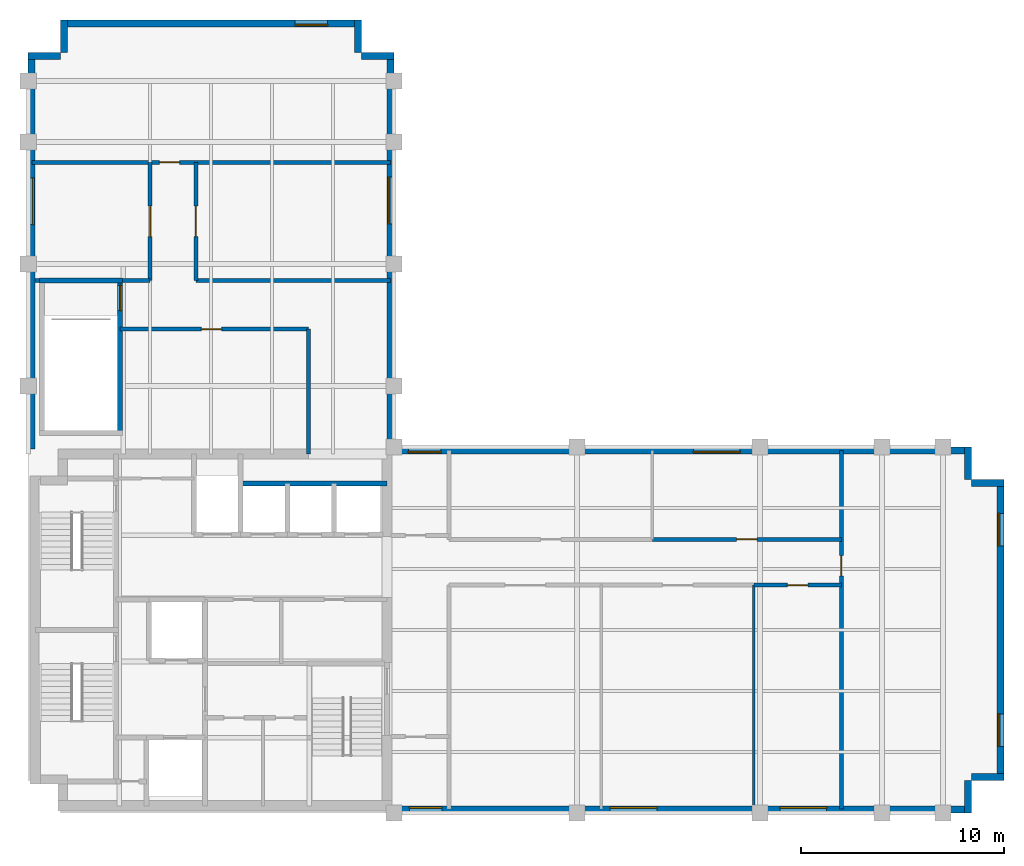
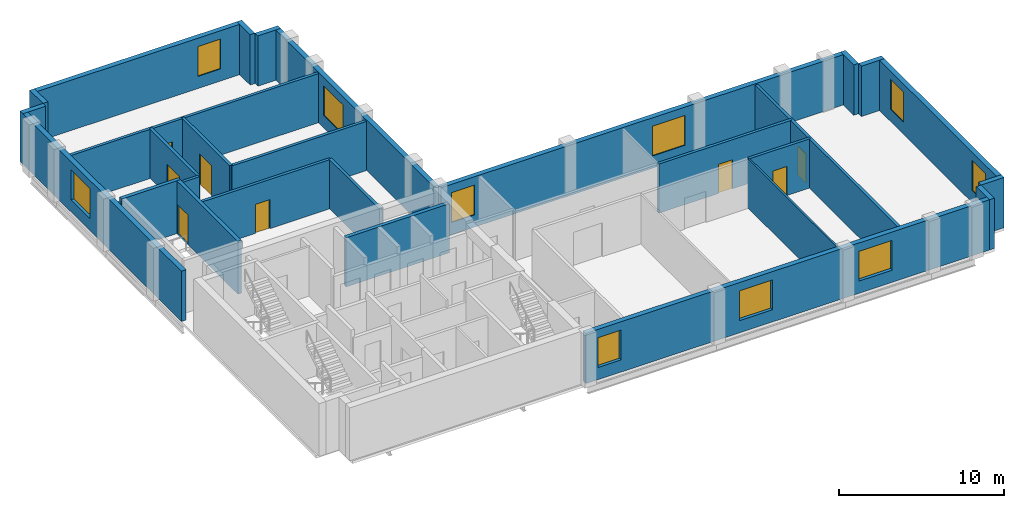
# One storey, part 4 of 6: 29 walls, 10 windows, 8 doors, 18 openings.
"""IFC4 building model written with IfcOpenShell, lengths in metres."""

from ifc_helpers import new_model, si_unit, direction, frame, frame_2d, origin, place, context, subcontext, project, spatial, rectangle, extrude, material, layer, layer_set, type_object, element, fill, save


model = new_model("IFC4")

# Units and contexts
model_context = context("Model", 3, precision=1e-05, world=origin(), true_north=direction((0.0, 1.0)))
body_context = subcontext(model_context, "Body", "Model", "MODEL_VIEW")
ifc_project = project(units=[si_unit("LENGTHUNIT", "METRE"), si_unit("AREAUNIT", "SQUARE_METRE"), si_unit("VOLUMEUNIT", "CUBIC_METRE"), si_unit("PLANEANGLEUNIT", "RADIAN"), si_unit("MASSUNIT", "GRAM", prefix="KILO")], contexts=[model_context])

# Site, building, storey
site_placement = place(None, origin())
site = spatial("IfcSite", under=ifc_project, at=site_placement, CompositionType="ELEMENT")
building_placement = place(site_placement, origin())
building = spatial("IfcBuilding", under=site, at=building_placement, Name="Mawjdan Bourse Tower", CompositionType="ELEMENT")
storey_placement = place(building_placement, frame((0.0, 0.0, 250.800048828125)))
storey = spatial("IfcBuildingStorey", under=building, at=storey_placement, Name="L61", CompositionType="ELEMENT", Elevation=250.800048828125)

# Wall, openings, windows
ifc_material_1 = material(Name="Brick Masonry Buff", Category="masonry")
ifc_layer_1 = layer(ifc_material_1, 0.340087890625)
ifc_layer_set_1 = layer_set([ifc_layer_1], Name="Brick Masonry Buff")
wall_type_1 = type_object("IfcWallType", Name="WL-BRK-SPN-340", PredefinedType="STANDARD", material=ifc_layer_set_1)
wall_1_placement = place(storey_placement, frame((23.89990234375, 3.169921875, 0.0), z_axis=(0.0, 0.0, 1.0), x_axis=(1.0, 0.0, 0.0)))
wall_1 = element("IfcWall", 1, at=wall_1_placement, inside=storey, type_object=wall_type_1, Name="L61 Exterior Brick Wall 1", PredefinedType="STANDARD", context=body_context, shape_type="SweptSolid", body=[
    extrude(rectangle(XDim=28.5, YDim=0.340087890625, at=frame_2d((14.25, 0.0))), origin(), (0.0, 0.0, 1.0), 3.71484375),
])
opening_1_placement = place(wall_1_placement, frame((10.72509765625, 0.0, 0.89990234375)))
opening_1 = element("IfcOpeningElement", 2, at=opening_1_placement, cuts=wall_1, Name="Opening W-L61-01", PredefinedType="OPENING", context=body_context, shape_type="SweptSolid", body=[
    extrude(rectangle(XDim=2.300048828125, YDim=2.199951171875, at=frame_2d((1.14990234375, 1.10009765625))), frame((0.0, 0.18017578125, 0.0), z_axis=(0.0, -1.0, 0.0), x_axis=(1.0, 0.0, 0.0)), (0.0, 0.0, 1.0), 0.360107421875),
])
opening_2_placement = place(wall_1_placement, frame((0.85009765625, 0.0, 0.89990234375)))
opening_2 = element("IfcOpeningElement", 3, at=opening_2_placement, cuts=wall_1, Name="Opening W-L61-07", PredefinedType="OPENING", context=body_context, shape_type="SweptSolid", body=[
    extrude(rectangle(XDim=1.60009765625, YDim=2.199951171875, at=frame_2d((0.800048828125, 1.10009765625))), frame((0.0, 0.18017578125, 0.0), z_axis=(0.0, -1.0, 0.0), x_axis=(1.0, 0.0, 0.0)), (0.0, 0.0, 1.0), 0.360107421875),
])
opening_3_placement = place(wall_1_placement, frame((19.07470703125, 0.0, 0.89990234375)))
opening_3 = element("IfcOpeningElement", 4, at=opening_3_placement, cuts=wall_1, Name="Opening W-L61-09", PredefinedType="OPENING", context=body_context, shape_type="SweptSolid", body=[
    extrude(rectangle(XDim=2.300048828125, YDim=2.199951171875, at=frame_2d((1.14990234375, 1.10009765625))), frame((0.0, 0.18017578125, 0.0), z_axis=(0.0, -1.0, 0.0), x_axis=(1.0, 0.0, 0.0)), (0.0, 0.0, 1.0), 0.360107421875),
])
ifc_material_2 = material(Name="Solar-Control Clear Double Glazing", Category="glass")
window_type_1 = type_object("IfcWindowType", Name="WN-Z3-1600", PartitioningType="SINGLE_PANEL", PredefinedType="WINDOW", material=ifc_material_2)
window_1_placement = place(opening_2_placement, origin())
window_1 = element("IfcWindow", 5, at=window_1_placement, inside=storey, type_object=window_type_1, Name="L61 Deep-Set Masonry Window W-L61-07", OverallHeight=2.199951171875, OverallWidth=1.60009765625, PartitioningType="SINGLE_PANEL", PredefinedType="WINDOW", context=body_context, shape_type="SweptSolid", body=[
    extrude(rectangle(XDim=1.60009765625, YDim=2.199951171875, at=frame_2d((0.800048828125, 1.10009765625))), frame((0.0, 0.110107421875, 0.0), z_axis=(0.0, -1.0, 0.0), x_axis=(1.0, 0.0, 0.0)), (0.0, 0.0, 1.0), 0.06005859375),
])
fill(opening_2, window_1)
window_type_2 = type_object("IfcWindowType", Name="WN-Z3-2300", PartitioningType="SINGLE_PANEL", PredefinedType="WINDOW", material=ifc_material_2)
window_2_placement = place(opening_1_placement, origin())
window_2 = element("IfcWindow", 6, at=window_2_placement, inside=storey, type_object=window_type_2, Name="L61 Deep-Set Masonry Window W-L61-01", OverallHeight=2.199951171875, OverallWidth=2.300048828125, PartitioningType="SINGLE_PANEL", PredefinedType="WINDOW", context=body_context, shape_type="SweptSolid", body=[
    extrude(rectangle(XDim=2.300048828125, YDim=2.199951171875, at=frame_2d((1.14990234375, 1.10009765625))), frame((0.0, 0.110107421875, 0.0), z_axis=(0.0, -1.0, 0.0), x_axis=(1.0, 0.0, 0.0)), (0.0, 0.0, 1.0), 0.06005859375),
])
fill(opening_1, window_2)
window_3_placement = place(opening_3_placement, origin())
window_3 = element("IfcWindow", 7, at=window_3_placement, inside=storey, type_object=window_type_2, Name="L61 Deep-Set Masonry Window W-L61-09", OverallHeight=2.199951171875, OverallWidth=2.300048828125, PartitioningType="SINGLE_PANEL", PredefinedType="WINDOW", context=body_context, shape_type="SweptSolid", body=[
    extrude(rectangle(XDim=2.300048828125, YDim=2.199951171875, at=frame_2d((1.14990234375, 1.10009765625))), frame((0.0, 0.110107421875, 0.0), z_axis=(0.0, -1.0, 0.0), x_axis=(1.0, 0.0, 0.0)), (0.0, 0.0, 1.0), 0.06005859375),
])
fill(opening_3, window_3)

# Walls
for number, where, z_axis, x_axis, name in (
    (8, (52.22998046875, 3.0, 0.0), (0.0, 0.0, 1.0), (0.0, 1.0, 0.0), "L61 Exterior Brick Wall 2"),
    (9, (52.39990234375, 4.77001953125, 0.0), (0.0, 0.0, 1.0), (1.0, 0.0, 0.0), "L61 Exterior Brick Wall 3"),
):
    element("IfcWall", number, at=place(storey_placement, frame(where, z_axis=z_axis, x_axis=x_axis)), inside=storey, type_object=wall_type_1, Name=name, PredefinedType="STANDARD", context=body_context, shape_type="SweptSolid", body=[
        extrude(rectangle(XDim=1.60009765625, YDim=0.340087890625, at=frame_2d((0.800048828125, 0.0))), origin(), (0.0, 0.0, 1.0), 3.71484375),
    ])

# Wall, openings, windows
wall_2_placement = place(storey_placement, frame((53.830078125, 4.60009765625, 0.0), z_axis=(0.0, 0.0, 1.0), x_axis=(0.0, 1.0, 0.0)))
wall_2 = element("IfcWall", 10, at=wall_2_placement, inside=storey, type_object=wall_type_1, Name="L61 Exterior Brick Wall 4", PredefinedType="STANDARD", context=body_context, shape_type="SweptSolid", body=[
    extrude(rectangle(XDim=14.7998046875, YDim=0.340087890625, at=frame_2d((7.39990234375, 0.0))), origin(), (0.0, 0.0, 1.0), 3.71484375),
])
opening_4_placement = place(wall_2_placement, frame((1.666748046875, 0.0, 0.89990234375)))
opening_4 = element("IfcOpeningElement", 11, at=opening_4_placement, cuts=wall_2, Name="Opening W-L61-02", PredefinedType="OPENING", context=body_context, shape_type="SweptSolid", body=[
    extrude(rectangle(XDim=1.60009765625, YDim=2.199951171875, at=frame_2d((0.800048828125, 1.10009765625))), frame((0.0, 0.18017578125, 0.0), z_axis=(0.0, -1.0, 0.0), x_axis=(1.0, 0.0, 0.0)), (0.0, 0.0, 1.0), 0.360107421875),
])
opening_5_placement = place(wall_2_placement, frame((11.533203125, 0.0, 0.89990234375)))
opening_5 = element("IfcOpeningElement", 12, at=opening_5_placement, cuts=wall_2, Name="Opening W-L61-03", PredefinedType="OPENING", context=body_context, shape_type="SweptSolid", body=[
    extrude(rectangle(XDim=1.60009765625, YDim=2.199951171875, at=frame_2d((0.800048828125, 1.10009765625))), frame((0.0, 0.18017578125, 0.0), z_axis=(0.0, -1.0, 0.0), x_axis=(1.0, 0.0, 0.0)), (0.0, 0.0, 1.0), 0.360107421875),
])
window_4_placement = place(opening_4_placement, origin())
window_4 = element("IfcWindow", 13, at=window_4_placement, inside=storey, type_object=window_type_1, Name="L61 Deep-Set Masonry Window W-L61-02", OverallHeight=2.199951171875, OverallWidth=1.60009765625, PartitioningType="SINGLE_PANEL", PredefinedType="WINDOW", context=body_context, shape_type="SweptSolid", body=[
    extrude(rectangle(XDim=1.60009765625, YDim=2.199951171875, at=frame_2d((0.800048828125, 1.10009765625))), frame((0.0, 0.110107421875, 0.0), z_axis=(0.0, -1.0, 0.0), x_axis=(1.0, 0.0, 0.0)), (0.0, 0.0, 1.0), 0.06005859375),
])
fill(opening_4, window_4)
window_5_placement = place(opening_5_placement, origin())
window_5 = element("IfcWindow", 14, at=window_5_placement, inside=storey, type_object=window_type_1, Name="L61 Deep-Set Masonry Window W-L61-03", OverallHeight=2.199951171875, OverallWidth=1.60009765625, PartitioningType="SINGLE_PANEL", PredefinedType="WINDOW", context=body_context, shape_type="SweptSolid", body=[
    extrude(rectangle(XDim=1.60009765625, YDim=2.199951171875, at=frame_2d((0.800048828125, 1.10009765625))), frame((0.0, 0.110107421875, 0.0), z_axis=(0.0, -1.0, 0.0), x_axis=(1.0, 0.0, 0.0)), (0.0, 0.0, 1.0), 0.06005859375),
])
fill(opening_5, window_5)

# Walls
for number, where, z_axis, x_axis, name in (
    (15, (54.0, 19.22998046875, 0.0), (0.0, 0.0, 1.0), (-1.0, 0.0, 0.0), "L61 Exterior Brick Wall 5"),
    (16, (52.22998046875, 19.39990234375, 0.0), (0.0, 0.0, 1.0), (0.0, 1.0, 0.0), "L61 Exterior Brick Wall 6"),
):
    element("IfcWall", number, at=place(storey_placement, frame(where, z_axis=z_axis, x_axis=x_axis)), inside=storey, type_object=wall_type_1, Name=name, PredefinedType="STANDARD", context=body_context, shape_type="SweptSolid", body=[
        extrude(rectangle(XDim=1.60009765625, YDim=0.340087890625, at=frame_2d((0.800048828125, 0.0))), origin(), (0.0, 0.0, 1.0), 3.71484375),
    ])

# Wall, openings, windows
wall_3_placement = place(storey_placement, frame((52.39990234375, 20.830078125, 0.0), z_axis=(0.0, 0.0, 1.0), x_axis=(-1.0, 0.0, 0.0)))
wall_3 = element("IfcWall", 17, at=wall_3_placement, inside=storey, type_object=wall_type_1, Name="L61 Exterior Brick Wall 7", PredefinedType="STANDARD", context=body_context, shape_type="SweptSolid", body=[
    extrude(rectangle(XDim=28.39990234375, YDim=0.340087890625, at=frame_2d((14.199951171875, 0.0))), origin(), (0.0, 0.0, 1.0), 3.71484375),
])
opening_6_placement = place(wall_3_placement, frame((26.095703125, 0.0, 0.89990234375)))
opening_6 = element("IfcOpeningElement", 18, at=opening_6_placement, cuts=wall_3, Name="Opening W-L61-08", PredefinedType="OPENING", context=body_context, shape_type="SweptSolid", body=[
    extrude(rectangle(XDim=1.60009765625, YDim=2.199951171875, at=frame_2d((0.800048828125, 1.10009765625))), frame((0.0, 0.18017578125, 0.0), z_axis=(0.0, -1.0, 0.0), x_axis=(1.0, 0.0, 0.0)), (0.0, 0.0, 1.0), 0.360107421875),
])
opening_7_placement = place(wall_3_placement, frame((11.374755859375, 0.0, 0.89990234375)))
opening_7 = element("IfcOpeningElement", 19, at=opening_7_placement, cuts=wall_3, Name="Opening W-L61-10", PredefinedType="OPENING", context=body_context, shape_type="SweptSolid", body=[
    extrude(rectangle(XDim=2.300048828125, YDim=2.199951171875, at=frame_2d((1.14990234375, 1.10009765625))), frame((0.0, 0.18017578125, 0.0), z_axis=(0.0, -1.0, 0.0), x_axis=(1.0, 0.0, 0.0)), (0.0, 0.0, 1.0), 0.360107421875),
])
window_6_placement = place(opening_6_placement, origin())
window_6 = element("IfcWindow", 20, at=window_6_placement, inside=storey, type_object=window_type_1, Name="L61 Deep-Set Masonry Window W-L61-08", OverallHeight=2.199951171875, OverallWidth=1.60009765625, PartitioningType="SINGLE_PANEL", PredefinedType="WINDOW", context=body_context, shape_type="SweptSolid", body=[
    extrude(rectangle(XDim=1.60009765625, YDim=2.199951171875, at=frame_2d((0.800048828125, 1.10009765625))), frame((0.0, 0.110107421875, 0.0), z_axis=(0.0, -1.0, 0.0), x_axis=(1.0, 0.0, 0.0)), (0.0, 0.0, 1.0), 0.06005859375),
])
fill(opening_6, window_6)
window_7_placement = place(opening_7_placement, origin())
window_7 = element("IfcWindow", 21, at=window_7_placement, inside=storey, type_object=window_type_2, Name="L61 Deep-Set Masonry Window W-L61-10", OverallHeight=2.199951171875, OverallWidth=2.300048828125, PartitioningType="SINGLE_PANEL", PredefinedType="WINDOW", context=body_context, shape_type="SweptSolid", body=[
    extrude(rectangle(XDim=2.300048828125, YDim=2.199951171875, at=frame_2d((1.14990234375, 1.10009765625))), frame((0.0, 0.110107421875, 0.0), z_axis=(0.0, -1.0, 0.0), x_axis=(1.0, 0.0, 0.0)), (0.0, 0.0, 1.0), 0.06005859375),
])
fill(opening_7, window_7)

# Wall, opening, window
wall_4_placement = place(storey_placement, frame((23.830078125, 21.0, 0.0), z_axis=(0.0, 0.0, 1.0), x_axis=(0.0, 1.0, 0.0)))
wall_4 = element("IfcWall", 22, at=wall_4_placement, inside=storey, type_object=wall_type_1, Name="L61 Exterior Brick Wall 8", PredefinedType="STANDARD", context=body_context, shape_type="SweptSolid", body=[
    extrude(rectangle(XDim=19.39990234375, YDim=0.340087890625, at=frame_2d((9.699951171875, 0.0))), origin(), (0.0, 0.0, 1.0), 3.71484375),
])
opening_8_placement = place(wall_4_placement, frame((10.97509765625, 0.0, 0.89990234375)))
opening_8 = element("IfcOpeningElement", 23, at=opening_8_placement, cuts=wall_4, Name="Opening W-L61-04", PredefinedType="OPENING", context=body_context, shape_type="SweptSolid", body=[
    extrude(rectangle(XDim=2.300048828125, YDim=2.199951171875, at=frame_2d((1.14990234375, 1.10009765625))), frame((0.0, 0.18017578125, 0.0), z_axis=(0.0, -1.0, 0.0), x_axis=(1.0, 0.0, 0.0)), (0.0, 0.0, 1.0), 0.360107421875),
])
window_8_placement = place(opening_8_placement, origin())
window_8 = element("IfcWindow", 24, at=window_8_placement, inside=storey, type_object=window_type_2, Name="L61 Deep-Set Masonry Window W-L61-04", OverallHeight=2.199951171875, OverallWidth=2.300048828125, PartitioningType="SINGLE_PANEL", PredefinedType="WINDOW", context=body_context, shape_type="SweptSolid", body=[
    extrude(rectangle(XDim=2.300048828125, YDim=2.199951171875, at=frame_2d((1.14990234375, 1.10009765625))), frame((0.0, 0.110107421875, 0.0), z_axis=(0.0, -1.0, 0.0), x_axis=(1.0, 0.0, 0.0)), (0.0, 0.0, 1.0), 0.06005859375),
])
fill(opening_8, window_8)

# Walls
for number, where, z_axis, x_axis, name in (
    (25, (24.0, 40.22998046875, 0.0), (0.0, 0.0, 1.0), (-1.0, 0.0, 0.0), "L61 Exterior Brick Wall 9"),
    (26, (22.22998046875, 40.39990234375, 0.0), (0.0, 0.0, 1.0), (0.0, 1.0, 0.0), "L61 Exterior Brick Wall 10"),
):
    element("IfcWall", number, at=place(storey_placement, frame(where, z_axis=z_axis, x_axis=x_axis)), inside=storey, type_object=wall_type_1, Name=name, PredefinedType="STANDARD", context=body_context, shape_type="SweptSolid", body=[
        extrude(rectangle(XDim=1.60009765625, YDim=0.340087890625, at=frame_2d((0.800048828125, 0.0))), origin(), (0.0, 0.0, 1.0), 3.71484375),
    ])

# Wall, opening, window
wall_5_placement = place(storey_placement, frame((22.39990234375, 41.830078125, 0.0), z_axis=(0.0, 0.0, 1.0), x_axis=(-1.0, 0.0, 0.0)))
wall_5 = element("IfcWall", 27, at=wall_5_placement, inside=storey, type_object=wall_type_1, Name="L61 Exterior Brick Wall 11", PredefinedType="STANDARD", context=body_context, shape_type="SweptSolid", body=[
    extrude(rectangle(XDim=14.7998046875, YDim=0.340087890625, at=frame_2d((7.39990234375, 0.0))), origin(), (0.0, 0.0, 1.0), 3.71484375),
])
opening_9_placement = place(wall_5_placement, frame((1.666748046875, 0.0, 0.89990234375)))
opening_9 = element("IfcOpeningElement", 28, at=opening_9_placement, cuts=wall_5, Name="Opening W-L61-05", PredefinedType="OPENING", context=body_context, shape_type="SweptSolid", body=[
    extrude(rectangle(XDim=1.60009765625, YDim=2.199951171875, at=frame_2d((0.800048828125, 1.10009765625))), frame((0.0, 0.18017578125, 0.0), z_axis=(0.0, -1.0, 0.0), x_axis=(1.0, 0.0, 0.0)), (0.0, 0.0, 1.0), 0.360107421875),
])
window_9_placement = place(opening_9_placement, origin())
window_9 = element("IfcWindow", 29, at=window_9_placement, inside=storey, type_object=window_type_1, Name="L61 Deep-Set Masonry Window W-L61-05", OverallHeight=2.199951171875, OverallWidth=1.60009765625, PartitioningType="SINGLE_PANEL", PredefinedType="WINDOW", context=body_context, shape_type="SweptSolid", body=[
    extrude(rectangle(XDim=1.60009765625, YDim=2.199951171875, at=frame_2d((0.800048828125, 1.10009765625))), frame((0.0, 0.110107421875, 0.0), z_axis=(0.0, -1.0, 0.0), x_axis=(1.0, 0.0, 0.0)), (0.0, 0.0, 1.0), 0.06005859375),
])
fill(opening_9, window_9)

# Walls
for number, where, z_axis, x_axis, name in (
    (30, (7.77001953125, 42.0, 0.0), (0.0, 0.0, 1.0), (0.0, -1.0, 0.0), "L61 Exterior Brick Wall 12"),
    (31, (7.60009765625, 40.22998046875, 0.0), (0.0, 0.0, 1.0), (-1.0, 0.0, 0.0), "L61 Exterior Brick Wall 13"),
):
    element("IfcWall", number, at=place(storey_placement, frame(where, z_axis=z_axis, x_axis=x_axis)), inside=storey, type_object=wall_type_1, Name=name, PredefinedType="STANDARD", context=body_context, shape_type="SweptSolid", body=[
        extrude(rectangle(XDim=1.60009765625, YDim=0.340087890625, at=frame_2d((0.800048828125, 0.0))), origin(), (0.0, 0.0, 1.0), 3.71484375),
    ])

# Wall, opening, window
wall_6_placement = place(storey_placement, frame((6.169921875, 40.39990234375, 0.0), z_axis=(0.0, 0.0, 1.0), x_axis=(0.0, -1.0, 0.0)))
wall_6 = element("IfcWall", 32, at=wall_6_placement, inside=storey, type_object=wall_type_1, Name="L61 Exterior Brick Wall 14", PredefinedType="STANDARD", context=body_context, shape_type="SweptSolid", body=[
    extrude(rectangle(XDim=19.5, YDim=0.340087890625, at=frame_2d((9.75, 0.0))), origin(), (0.0, 0.0, 1.0), 3.71484375),
])
opening_10_placement = place(wall_6_placement, frame((6.16259765625, 0.0, 0.89990234375)))
opening_10 = element("IfcOpeningElement", 33, at=opening_10_placement, cuts=wall_6, Name="Opening W-L61-06", PredefinedType="OPENING", context=body_context, shape_type="SweptSolid", body=[
    extrude(rectangle(XDim=2.300048828125, YDim=2.199951171875, at=frame_2d((1.14990234375, 1.10009765625))), frame((0.0, 0.18017578125, 0.0), z_axis=(0.0, -1.0, 0.0), x_axis=(1.0, 0.0, 0.0)), (0.0, 0.0, 1.0), 0.360107421875),
])
window_10_placement = place(opening_10_placement, origin())
window_10 = element("IfcWindow", 34, at=window_10_placement, inside=storey, type_object=window_type_2, Name="L61 Deep-Set Masonry Window W-L61-06", OverallHeight=2.199951171875, OverallWidth=2.300048828125, PartitioningType="SINGLE_PANEL", PredefinedType="WINDOW", context=body_context, shape_type="SweptSolid", body=[
    extrude(rectangle(XDim=2.300048828125, YDim=2.199951171875, at=frame_2d((1.14990234375, 1.10009765625))), frame((0.0, 0.110107421875, 0.0), z_axis=(0.0, -1.0, 0.0), x_axis=(1.0, 0.0, 0.0)), (0.0, 0.0, 1.0), 0.06005859375),
])
fill(opening_10, window_10)

# Wall, opening, door
ifc_material_3 = material(Name="Gypsum Fireboard Assembly")
ifc_layer_2 = layer(ifc_material_3, 0.199951171875)
ifc_layer_set_2 = layer_set([ifc_layer_2], Name="Gypsum Fireboard Assembly")
wall_type_2 = type_object("IfcWallType", Name="WL-CMP-200", PredefinedType="PARTITIONING", material=ifc_layer_set_2)
wall_7_placement = place(storey_placement, frame((41.699951171875, 14.199951171875, 0.0), z_axis=(0.0, 0.0, 1.0), x_axis=(1.0, 0.0, 0.0)))
wall_7 = element("IfcWall", 35, at=wall_7_placement, inside=storey, type_object=wall_type_2, Name="L61 Executive Office Corridor Wall", PredefinedType="PARTITIONING", context=body_context, shape_type="SweptSolid", body=[
    extrude(rectangle(XDim=4.300048828125, YDim=0.199951171875, at=frame_2d((2.14990234375, 0.0))), origin(), (0.0, 0.0, 1.0), 3.6298828125),
])
opening_11_placement = place(wall_7_placement, frame((1.64990234375, 0.0, 0.0)))
opening_11 = element("IfcOpeningElement", 36, at=opening_11_placement, cuts=wall_7, Name="Opening D-L61-23", PredefinedType="OPENING", context=body_context, shape_type="SweptSolid", body=[
    extrude(rectangle(XDim=1.0, YDim=2.14990234375, at=frame_2d((0.5, 1.074951171875))), frame((0.0, 0.10986328125, 0.0), z_axis=(0.0, -1.0, 0.0), x_axis=(1.0, 0.0, 0.0)), (0.0, 0.0, 1.0), 0.219970703125),
])
ifc_material_4 = material(Name="Hardwood Acoustic Leaf", Category="wood")
door_type_1 = type_object("IfcDoorType", Name="DR-OFC-1000", OperationType="NOTDEFINED", PredefinedType="DOOR", material=ifc_material_4)
door_1_placement = place(opening_11_placement, origin())
door_1 = element("IfcDoor", 37, at=door_1_placement, inside=storey, type_object=door_type_1, Name="L61 Executive Office Door D-L61-23", OperationType="SINGLE_SWING_RIGHT", OverallHeight=2.14990234375, OverallWidth=1.0, PredefinedType="DOOR", context=body_context, shape_type="SweptSolid", body=[
    extrude(rectangle(XDim=1.0, YDim=2.14990234375, at=frame_2d((0.5, 1.074951171875))), frame((0.0, 0.02490234375, 0.0), z_axis=(0.0, -1.0, 0.0), x_axis=(1.0, 0.0, 0.0)), (0.0, 0.0, 1.0), 0.050048828125),
])
fill(opening_11, door_1)

wall_8_placement = place(storey_placement, frame((36.699951171875, 16.449951171875, 0.0), z_axis=(0.0, 0.0, 1.0), x_axis=(1.0, 0.0, 0.0)))
wall_8 = element("IfcWall", 38, at=wall_8_placement, inside=storey, type_object=wall_type_2, Name="L61 Cross-Border Clearing Suite Corridor Wall", PredefinedType="PARTITIONING", context=body_context, shape_type="SweptSolid", body=[
    extrude(rectangle(XDim=9.300048828125, YDim=0.199951171875, at=frame_2d((4.64990234375, 0.0))), origin(), (0.0, 0.0, 1.0), 3.6298828125),
])
opening_12_placement = place(wall_8_placement, frame((4.14990234375, 0.0, 0.0)))
opening_12 = element("IfcOpeningElement", 39, at=opening_12_placement, cuts=wall_8, Name="Opening D-L61-25", PredefinedType="OPENING", context=body_context, shape_type="SweptSolid", body=[
    extrude(rectangle(XDim=1.0, YDim=2.14990234375, at=frame_2d((0.5, 1.074951171875))), frame((0.0, 0.10986328125, 0.0), z_axis=(0.0, -1.0, 0.0), x_axis=(1.0, 0.0, 0.0)), (0.0, 0.0, 1.0), 0.219970703125),
])
door_2_placement = place(opening_12_placement, origin())
door_2 = element("IfcDoor", 40, at=door_2_placement, inside=storey, type_object=door_type_1, Name="L61 Cross-Border Clearing Suite Door D-L61-25", OperationType="SINGLE_SWING_RIGHT", OverallHeight=2.14990234375, OverallWidth=1.0, PredefinedType="DOOR", context=body_context, shape_type="SweptSolid", body=[
    extrude(rectangle(XDim=1.0, YDim=2.14990234375, at=frame_2d((0.5, 1.074951171875))), frame((0.0, 0.02490234375, 0.0), z_axis=(0.0, -1.0, 0.0), x_axis=(1.0, 0.0, 0.0)), (0.0, 0.0, 1.0), 0.050048828125),
])
fill(opening_12, door_2)

wall_9_placement = place(storey_placement, frame((46.0, 3.179931640625, 0.0), z_axis=(0.0, 0.0, 1.0), x_axis=(0.0, 1.0, 0.0)))
wall_9 = element("IfcWall", 41, at=wall_9_placement, inside=storey, type_object=wall_type_2, Name="L61 East Tip Full Cross Wall", PredefinedType="PARTITIONING", context=body_context, shape_type="SweptSolid", body=[
    extrude(rectangle(XDim=17.64013671875, YDim=0.199951171875, at=frame_2d((8.820068359375, 0.0))), origin(), (0.0, 0.0, 1.0), 3.6298828125),
])
opening_13_placement = place(wall_9_placement, frame((11.47509765625, 0.0, 0.0)))
opening_13 = element("IfcOpeningElement", 42, at=opening_13_placement, cuts=wall_9, Name="Opening D-L61-26", PredefinedType="OPENING", context=body_context, shape_type="SweptSolid", body=[
    extrude(rectangle(XDim=1.0, YDim=2.14990234375, at=frame_2d((0.5, 1.074951171875))), frame((0.0, 0.10986328125, 0.0), z_axis=(0.0, -1.0, 0.0), x_axis=(1.0, 0.0, 0.0)), (0.0, 0.0, 1.0), 0.219970703125),
])
door_3_placement = place(opening_13_placement, origin())
door_3 = element("IfcDoor", 43, at=door_3_placement, inside=storey, type_object=door_type_1, Name="L61 East Tip Hall Door D-L61-26", OperationType="SINGLE_SWING_LEFT", OverallHeight=2.14990234375, OverallWidth=1.0, PredefinedType="DOOR", context=body_context, shape_type="SweptSolid", body=[
    extrude(rectangle(XDim=1.0, YDim=2.14990234375, at=frame_2d((0.5, 1.074951171875))), frame((0.0, 0.02490234375, 0.0), z_axis=(0.0, -1.0, 0.0), x_axis=(1.0, 0.0, 0.0)), (0.0, 0.0, 1.0), 0.050048828125),
])
fill(opening_13, door_3)

wall_10_placement = place(storey_placement, frame((10.52001953125, 26.800048828125, 0.0), z_axis=(0.0, 0.0, 1.0), x_axis=(1.0, 0.0, 0.0)))
wall_10 = element("IfcWall", 44, at=wall_10_placement, inside=storey, type_object=wall_type_2, Name="L61 North Throat North Wall", PredefinedType="PARTITIONING", context=body_context, shape_type="SweptSolid", body=[
    extrude(rectangle(XDim=9.280029296875, YDim=0.199951171875, at=frame_2d((4.64013671875, 0.0))), origin(), (0.0, 0.0, 1.0), 3.6298828125),
])
opening_14_placement = place(wall_10_placement, frame((4.0, 0.0, 0.0)))
opening_14 = element("IfcOpeningElement", 45, at=opening_14_placement, cuts=wall_10, Name="Opening D-L61-27", PredefinedType="OPENING", context=body_context, shape_type="SweptSolid", body=[
    extrude(rectangle(XDim=1.0, YDim=2.14990234375, at=frame_2d((0.5, 1.074951171875))), frame((0.0, 0.10986328125, 0.0), z_axis=(0.0, -1.0, 0.0), x_axis=(1.0, 0.0, 0.0)), (0.0, 0.0, 1.0), 0.219970703125),
])
door_4_placement = place(opening_14_placement, origin())
door_4 = element("IfcDoor", 46, at=door_4_placement, inside=storey, type_object=door_type_1, Name="L61 North Throat Suite Door D-L61-27", OperationType="SINGLE_SWING_RIGHT", OverallHeight=2.14990234375, OverallWidth=1.0, PredefinedType="DOOR", context=body_context, shape_type="SweptSolid", body=[
    extrude(rectangle(XDim=1.0, YDim=2.14990234375, at=frame_2d((0.5, 1.074951171875))), frame((0.0, 0.02490234375, 0.0), z_axis=(0.0, -1.0, 0.0), x_axis=(1.0, 0.0, 0.0)), (0.0, 0.0, 1.0), 0.050048828125),
])
fill(opening_14, door_4)

# Walls
wall_11_placement = place(storey_placement, frame((19.800048828125, 20.64990234375, 0.0), z_axis=(0.0, 0.0, 1.0), x_axis=(0.0, 1.0, 0.0)))
element("IfcWall", 47, at=wall_11_placement, inside=storey, type_object=wall_type_2, Name="L61 North Throat East Wall", PredefinedType="PARTITIONING", context=body_context, shape_type="SweptSolid", body=[
    extrude(rectangle(XDim=6.150146484375, YDim=0.199951171875, at=frame_2d((3.0751953125, 0.0))), origin(), (0.0, 0.0, 1.0), 3.6298828125),
])
wall_12_placement = place(storey_placement, frame((6.340087890625, 29.179931640625, 0.0), z_axis=(0.0, 0.0, 1.0), x_axis=(1.0, 0.0, 0.0)))
element("IfcWall", 48, at=wall_12_placement, inside=storey, type_object=wall_type_2, Name="L61 North West Band ST3 West Return", PredefinedType="PARTITIONING", context=body_context, shape_type="SweptSolid", body=[
    extrude(rectangle(XDim=0.21484375, YDim=0.199951171875, at=frame_2d((0.107421875, 0.0))), origin(), (0.0, 0.0, 1.0), 3.6298828125),
])
wall_13_placement = place(storey_placement, frame((10.6298828125, 29.179931640625, 0.0), z_axis=(0.0, 0.0, 1.0), x_axis=(1.0, 0.0, 0.0)))
element("IfcWall", 49, at=wall_13_placement, inside=storey, type_object=wall_type_2, Name="L61 North West Band South Wall", PredefinedType="PARTITIONING", context=body_context, shape_type="SweptSolid", body=[
    extrude(rectangle(XDim=1.3701171875, YDim=0.199951171875, at=frame_2d((0.68505859375, 0.0))), origin(), (0.0, 0.0, 1.0), 3.6298828125),
])
wall_14_placement = place(storey_placement, frame((14.25, 29.179931640625, 0.0), z_axis=(0.0, 0.0, 1.0), x_axis=(1.0, 0.0, 0.0)))
element("IfcWall", 50, at=wall_14_placement, inside=storey, type_object=wall_type_2, Name="L61 North East Band South Wall", PredefinedType="PARTITIONING", context=body_context, shape_type="SweptSolid", body=[
    extrude(rectangle(XDim=9.570068359375, YDim=0.199951171875, at=frame_2d((4.78515625, 0.0))), origin(), (0.0, 0.0, 1.0), 3.6298828125),
])

# Wall, opening, door
wall_15_placement = place(storey_placement, frame((12.0, 29.179931640625, 0.0), z_axis=(0.0, 0.0, 1.0), x_axis=(0.0, 1.0, 0.0)))
wall_15 = element("IfcWall", 51, at=wall_15_placement, inside=storey, type_object=wall_type_2, Name="L61 Conference Room Corridor Wall", PredefinedType="PARTITIONING", context=body_context, shape_type="SweptSolid", body=[
    extrude(rectangle(XDim=5.820068359375, YDim=0.199951171875, at=frame_2d((2.91015625, 0.0))), origin(), (0.0, 0.0, 1.0), 3.6298828125),
])
opening_15_placement = place(wall_15_placement, frame((2.159912109375, 0.0, 0.0)))
opening_15 = element("IfcOpeningElement", 52, at=opening_15_placement, cuts=wall_15, Name="Opening D-L61-28", PredefinedType="OPENING", context=body_context, shape_type="SweptSolid", body=[
    extrude(rectangle(XDim=1.5, YDim=2.300048828125, at=frame_2d((0.75, 1.14990234375))), frame((0.0, 0.10986328125, 0.0), z_axis=(0.0, -1.0, 0.0), x_axis=(1.0, 0.0, 0.0)), (0.0, 0.0, 1.0), 0.219970703125),
])
ifc_material_5 = material(Name="Acoustic Glazed Timber", Category="wood")
door_type_2 = type_object("IfcDoorType", Name="DR-CNF-1500", OperationType="DOUBLE_DOOR_SINGLE_SWING", PredefinedType="DOOR", material=ifc_material_5)
door_5_placement = place(opening_15_placement, origin())
door_5 = element("IfcDoor", 53, at=door_5_placement, inside=storey, type_object=door_type_2, Name="L61 Conference Room Door D-L61-28", OperationType="DOUBLE_DOOR_SINGLE_SWING", OverallHeight=2.300048828125, OverallWidth=1.5, PredefinedType="DOOR", context=body_context, shape_type="SweptSolid", body=[
    extrude(rectangle(XDim=1.5, YDim=2.300048828125, at=frame_2d((0.75, 1.14990234375))), frame((0.0, 0.02490234375, 0.0), z_axis=(0.0, -1.0, 0.0), x_axis=(1.0, 0.0, 0.0)), (0.0, 0.0, 1.0), 0.050048828125),
])
fill(opening_15, door_5)

wall_16_placement = place(storey_placement, frame((14.25, 29.179931640625, 0.0), z_axis=(0.0, 0.0, 1.0), x_axis=(0.0, 1.0, 0.0)))
wall_16 = element("IfcWall", 54, at=wall_16_placement, inside=storey, type_object=wall_type_2, Name="L61 Cross-Border Clearing Suite Corridor Wall", PredefinedType="PARTITIONING", context=body_context, shape_type="SweptSolid", body=[
    extrude(rectangle(XDim=5.820068359375, YDim=0.199951171875, at=frame_2d((2.91015625, 0.0))), origin(), (0.0, 0.0, 1.0), 3.6298828125),
])
opening_16_placement = place(wall_16_placement, frame((2.159912109375, 0.0, 0.0)))
opening_16 = element("IfcOpeningElement", 55, at=opening_16_placement, cuts=wall_16, Name="Opening D-L61-29", PredefinedType="OPENING", context=body_context, shape_type="SweptSolid", body=[
    extrude(rectangle(XDim=1.5, YDim=2.300048828125, at=frame_2d((0.75, 1.14990234375))), frame((0.0, 0.10986328125, 0.0), z_axis=(0.0, -1.0, 0.0), x_axis=(1.0, 0.0, 0.0)), (0.0, 0.0, 1.0), 0.219970703125),
])
door_6_placement = place(opening_16_placement, origin())
door_6 = element("IfcDoor", 56, at=door_6_placement, inside=storey, type_object=door_type_2, Name="L61 Cross-Border Clearing Suite Door D-L61-29", OperationType="DOUBLE_DOOR_SINGLE_SWING", OverallHeight=2.300048828125, OverallWidth=1.5, PredefinedType="DOOR", context=body_context, shape_type="SweptSolid", body=[
    extrude(rectangle(XDim=1.5, YDim=2.300048828125, at=frame_2d((0.75, 1.14990234375))), frame((0.0, 0.02490234375, 0.0), z_axis=(0.0, -1.0, 0.0), x_axis=(1.0, 0.0, 0.0)), (0.0, 0.0, 1.0), 0.050048828125),
])
fill(opening_16, door_6)

wall_17_placement = place(storey_placement, frame((6.179931640625, 35.0, 0.0), z_axis=(0.0, 0.0, 1.0), x_axis=(1.0, 0.0, 0.0)))
wall_17 = element("IfcWall", 57, at=wall_17_placement, inside=storey, type_object=wall_type_2, Name="L61 North Tip Full Cross Wall", PredefinedType="PARTITIONING", context=body_context, shape_type="SweptSolid", body=[
    extrude(rectangle(XDim=17.64013671875, YDim=0.199951171875, at=frame_2d((8.820068359375, 0.0))), origin(), (0.0, 0.0, 1.0), 3.6298828125),
])
opening_17_placement = place(wall_17_placement, frame((6.27490234375, 0.0, 0.0)))
opening_17 = element("IfcOpeningElement", 58, at=opening_17_placement, cuts=wall_17, Name="Opening D-L61-30", PredefinedType="OPENING", context=body_context, shape_type="SweptSolid", body=[
    extrude(rectangle(XDim=1.0, YDim=2.14990234375, at=frame_2d((0.5, 1.074951171875))), frame((0.0, 0.10986328125, 0.0), z_axis=(0.0, -1.0, 0.0), x_axis=(1.0, 0.0, 0.0)), (0.0, 0.0, 1.0), 0.219970703125),
])
door_7_placement = place(opening_17_placement, origin())
door_7 = element("IfcDoor", 59, at=door_7_placement, inside=storey, type_object=door_type_1, Name="L61 North Tip Suite Door D-L61-30", OperationType="SINGLE_SWING_LEFT", OverallHeight=2.14990234375, OverallWidth=1.0, PredefinedType="DOOR", context=body_context, shape_type="SweptSolid", body=[
    extrude(rectangle(XDim=1.0, YDim=2.14990234375, at=frame_2d((0.5, 1.074951171875))), frame((0.0, 0.02490234375, 0.0), z_axis=(0.0, -1.0, 0.0), x_axis=(1.0, 0.0, 0.0)), (0.0, 0.0, 1.0), 0.050048828125),
])
fill(opening_17, door_7)

# Walls
ifc_material_6 = material(Name="Gypsum Partition")
ifc_layer_3 = layer(ifc_material_6, 0.125)
ifc_layer_set_3 = layer_set([ifc_layer_3], Name="Gypsum Partition")
wall_type_3 = type_object("IfcWallType", Name="WL-PRT-125", PredefinedType="PARTITIONING", material=ifc_layer_set_3)
wall_18_placement = place(storey_placement, frame((41.699951171875, 3.179931640625, 0.0), z_axis=(0.0, 0.0, 1.0), x_axis=(0.0, 1.0, 0.0)))
element("IfcWall", 60, at=wall_18_placement, inside=storey, type_object=wall_type_3, Name="L61 Executive Office Partition", PredefinedType="PARTITIONING", context=body_context, shape_type="SweptSolid", body=[
    extrude(rectangle(XDim=11.02001953125, YDim=0.125, at=frame_2d((5.510009765625, 0.0))), origin(), (0.0, 0.0, 1.0), 3.6298828125),
])
ifc_material_7 = material(Name="Concrete C50/60", Category="concrete")
ifc_layer_4 = layer(ifc_material_7, 0.25)
ifc_layer_set_4 = layer_set([ifc_layer_4], Name="Concrete C50/60")
wall_type_4 = type_object("IfcWallType", Name="WL-SHFT-250", PredefinedType="PARTITIONING", material=ifc_layer_set_4)
wall_19_placement = place(storey_placement, frame((16.449951171875, 19.199951171875, 0.0), z_axis=(0.0, 0.0, 1.0), x_axis=(1.0, 0.0, 0.0)))
element("IfcWall", 61, at=wall_19_placement, inside=storey, type_object=wall_type_4, Name="L61 PH Bank North Shaft Back Wall", PredefinedType="PARTITIONING", context=body_context, shape_type="SweptSolid", body=[
    extrude(rectangle(XDim=7.199951171875, YDim=0.25, at=frame_2d((3.60009765625, 0.0))), origin(), (0.0, 0.0, 1.0), 3.6298828125),
])
ifc_layer_5 = layer(ifc_material_7, 0.25)
ifc_layer_set_5 = layer_set([ifc_layer_5], Name="Concrete C50/60")
wall_type_5 = type_object("IfcWallType", Name="WL-STRW-250", PredefinedType="SHEAR", material=ifc_layer_set_5)
wall_20_placement = place(storey_placement, frame((6.554931640625, 29.179931640625, 0.0), z_axis=(0.0, 0.0, 1.0), x_axis=(1.0, 0.0, 0.0)))
element("IfcWall", 62, at=wall_20_placement, inside=storey, type_object=wall_type_5, Name="L61 ST3 North Shaft Wall", PredefinedType="SHEAR", context=body_context, shape_type="SweptSolid", body=[
    extrude(rectangle(XDim=4.090087890625, YDim=0.25, at=frame_2d((2.044921875, 0.0))), origin(), (0.0, 0.0, 1.0), 3.89990234375),
])

# Wall, opening, door
wall_21_placement = place(storey_placement, frame((10.52001953125, 21.679931640625, 0.0), z_axis=(0.0, 0.0, 1.0), x_axis=(0.0, 1.0, 0.0)))
wall_21 = element("IfcWall", 63, at=wall_21_placement, inside=storey, type_object=wall_type_5, Name="L61 ST3 East Shaft Wall", PredefinedType="SHEAR", context=body_context, shape_type="SweptSolid", body=[
    extrude(rectangle(XDim=7.5, YDim=0.25, at=frame_2d((3.75, 0.0))), origin(), (0.0, 0.0, 1.0), 3.89990234375),
])
opening_18_placement = place(wall_21_placement, frame((6.02001953125, 0.0, 0.0)))
opening_18 = element("IfcOpeningElement", 64, at=opening_18_placement, cuts=wall_21, Name="Opening SD-L61-18", PredefinedType="OPENING", context=body_context, shape_type="SweptSolid", body=[
    extrude(rectangle(XDim=1.25, YDim=2.199951171875, at=frame_2d((0.625, 1.10009765625))), frame((0.0, 0.135009765625, 0.0), z_axis=(0.0, -1.0, 0.0), x_axis=(1.0, 0.0, 0.0)), (0.0, 0.0, 1.0), 0.27001953125),
])
ifc_material_8 = material(Name="Fire-Rated Steel Leaf", Category="steel")
door_type_3 = type_object("IfcDoorType", Name="FD-ST-1250", OperationType="NOTDEFINED", PredefinedType="DOOR", material=ifc_material_8)
door_8_placement = place(opening_18_placement, origin())
door_8 = element("IfcDoor", 65, at=door_8_placement, inside=storey, type_object=door_type_3, Name="L61 Stair ST3 Fire Door SD-L61-18", OperationType="SINGLE_SWING_LEFT", OverallHeight=2.199951171875, OverallWidth=1.25, PredefinedType="DOOR", context=body_context, shape_type="SweptSolid", body=[
    extrude(rectangle(XDim=1.25, YDim=2.199951171875, at=frame_2d((0.625, 1.10009765625))), frame((0.0, 0.02490234375, 0.0), z_axis=(0.0, -1.0, 0.0), x_axis=(1.0, 0.0, 0.0)), (0.0, 0.0, 1.0), 0.050048828125),
])
fill(opening_18, door_8)

save(model, "model.ifc")
